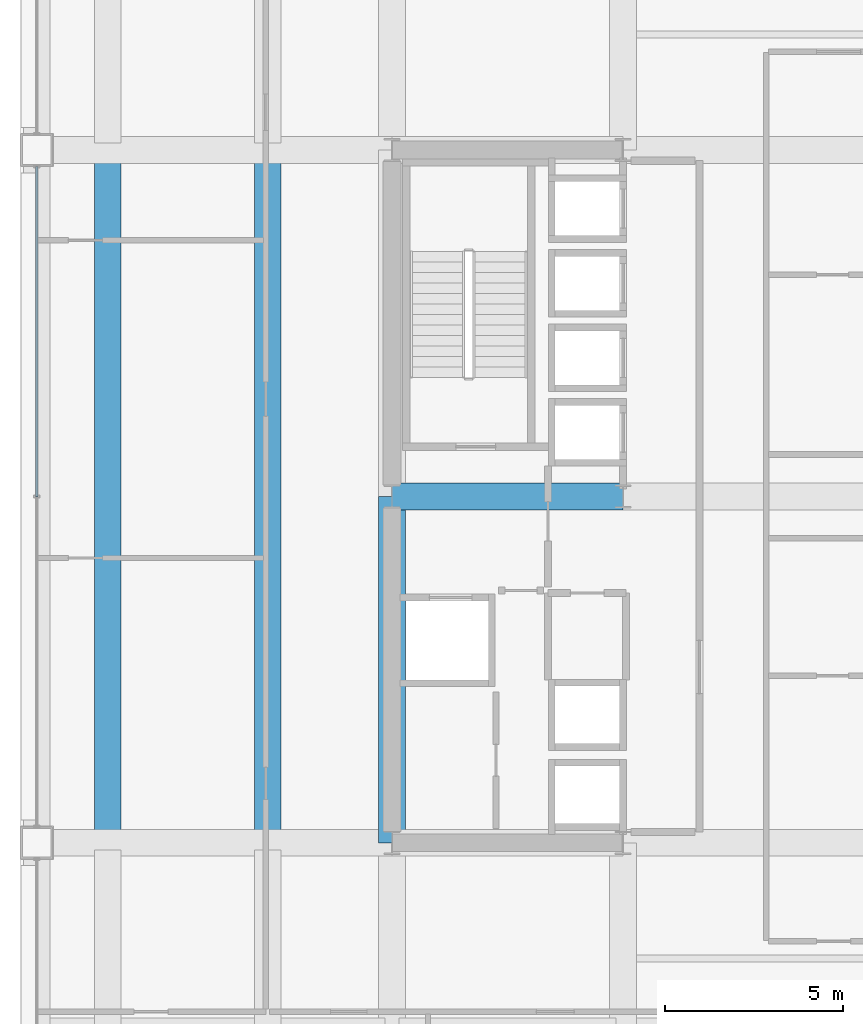
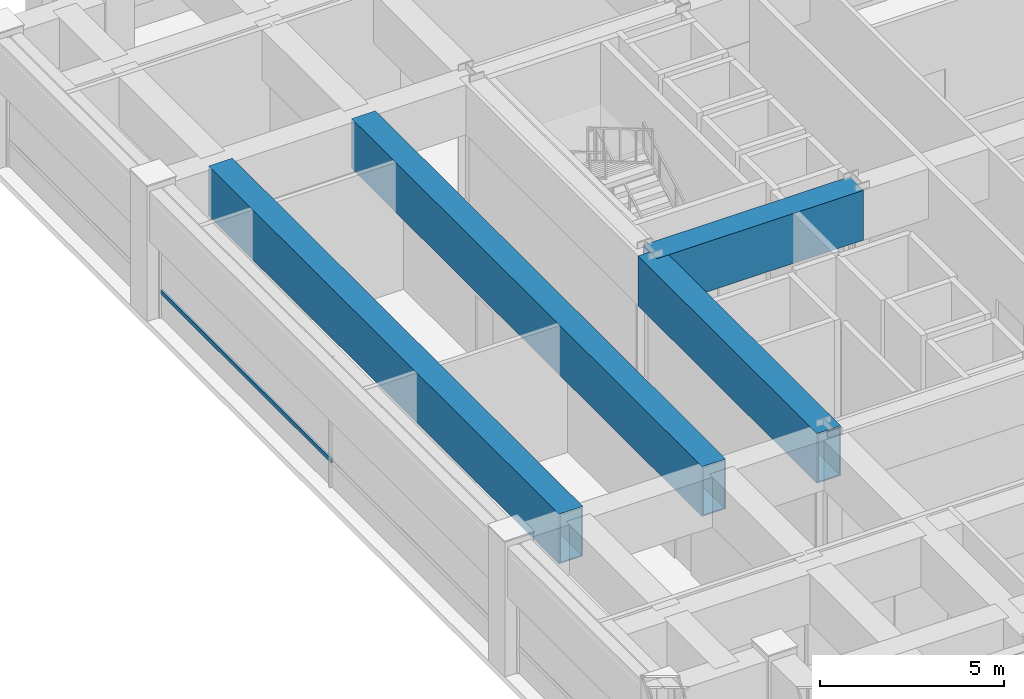
# One storey, part 8 of 29: 4 beams, 1 member, 1 element without a shape of its own.
"""IFC4 building model written with IfcOpenShell, lengths in metres."""

from ifc_helpers import new_model, si_unit, direction, frame, origin, origin_2d, place, context, subcontext, project, spatial, hollow_rectangle, extrude, material, layer, layer_set, material_profile, profile_set, type_object, element, aggregate, save


model = new_model("IFC4")

# Units and contexts
model_context = context("Model", 3, precision=1e-05, world=origin(), true_north=direction((0.0, 1.0)))
body_context = subcontext(model_context, "Body", "Model", "MODEL_VIEW")
ifc_project = project(units=[si_unit("LENGTHUNIT", "METRE"), si_unit("AREAUNIT", "SQUARE_METRE"), si_unit("VOLUMEUNIT", "CUBIC_METRE"), si_unit("PLANEANGLEUNIT", "RADIAN"), si_unit("MASSUNIT", "GRAM", prefix="KILO")], contexts=[model_context])

# Site, building, storey
site_placement = place(None, origin())
site = spatial("IfcSite", under=ifc_project, at=site_placement, CompositionType="ELEMENT")
building_placement = place(site_placement, origin())
building = spatial("IfcBuilding", under=site, at=building_placement, Name="Brelmoor Portico Tower", CompositionType="ELEMENT")
storey_placement = place(building_placement, frame((0.0, 0.0, 82.800048828125)))
storey = spatial("IfcBuildingStorey", under=building, at=storey_placement, Name="L21", CompositionType="ELEMENT", Elevation=82.800048828125)

# Beams
ifc_material_1 = material(Name="Steel Q355B", Category="steel")
ifc_material_profile_1 = material_profile(ifc_material_1, hollow_rectangle(XDim=0.75, YDim=1.659912109375, WallThickness=0.0419921875, at=origin_2d()), Name="BOX 750x1660x42")
ifc_profile_set_1 = profile_set([ifc_material_profile_1], Name="Steel Q355B")
beam_type = type_object("IfcBeamType", Name="BM-TG-Z2", PredefinedType="BEAM", material=ifc_profile_set_1)
beam_1_placement = place(storey_placement, frame((-14.550048828125, -9.75, 3.469970703125), z_axis=(0.0, 1.0, 0.0), x_axis=(-1.0, 0.0, 0.0)))
element("IfcBeam", 1, at=beam_1_placement, inside=storey, type_object=beam_type, Name="L21 Setback Transfer Girder PG-04", PredefinedType="BEAM", context=body_context, shape_type="SweptSolid", body=[
    extrude(hollow_rectangle(XDim=0.75, YDim=1.659912109375, WallThickness=0.0419921875, at=origin_2d()), origin(), (0.0, 0.0, 1.0), 9.75),
])
beam_2_placement = place(storey_placement, frame((-14.550048828125, 0.0, 3.469970703125), z_axis=(1.0, 0.0, 0.0), x_axis=(0.0, 1.0, 0.0)))
element("IfcBeam", 2, at=beam_2_placement, inside=storey, type_object=beam_type, Name="L21 Setback Transfer Girder PG-24", PredefinedType="BEAM", context=body_context, shape_type="SweptSolid", body=[
    extrude(hollow_rectangle(XDim=0.75, YDim=1.659912109375, WallThickness=0.0419921875, at=origin_2d()), origin(), (0.0, 0.0, 1.0), 6.5),
])
for number, where, z_axis, x_axis, name in (
    (3, (-18.050048828125, -9.550048828125, 3.469970703125), (0.0, 1.0, 0.0), (-1.0, 0.0, 0.0), "L21 Setback Transfer Girder TGN-23"),
    (4, (-22.550048828125, -9.550048828125, 3.469970703125), (0.0, 1.0, 0.0), (-1.0, 0.0, 0.0), "L21 Setback Transfer Girder TGN-33"),
):
    element("IfcBeam", number, at=place(storey_placement, frame(where, z_axis=z_axis, x_axis=x_axis)), inside=storey, type_object=beam_type, Name=name, PredefinedType="BEAM", context=body_context, shape_type="SweptSolid", body=[
        extrude(hollow_rectangle(XDim=0.75, YDim=1.659912109375, WallThickness=0.0419921875, at=origin_2d()), origin(), (0.0, 0.0, 1.0), 19.10009765625),
    ])

# Curtain wall, member
ifc_material_2 = material(Name="Anodised Aluminium Alloy 6063-T6", Category="aluminium")
ifc_layer = layer(ifc_material_2, 0.179931640625)
ifc_layer_set = layer_set([ifc_layer], Name="Anodised Aluminium Alloy 6063-T6")
curtain_wall_type = type_object("IfcCurtainWallType", Name="CW-TOWER-Z1", PredefinedType="NOTDEFINED", material=ifc_layer_set)
curtain_wall_placement = place(storey_placement, origin())
curtain_wall = element("IfcCurtainWall", 5, at=curtain_wall_placement, inside=storey, type_object=curtain_wall_type, Name="L21 Curtain Wall CW-L21-03-2", PredefinedType="NOTDEFINED")
ifc_material_profile_2 = material_profile(ifc_material_2, hollow_rectangle(XDim=0.06494140625, YDim=0.139892578125, WallThickness=0.00390625, at=origin_2d()), Name="ALU TRANSOM 65x140")
ifc_profile_set_2 = profile_set([ifc_material_profile_2], Name="Anodised Aluminium Alloy 6063-T6")
member_type = type_object("IfcMemberType", Name="MB-CW-TRAN-140", PredefinedType="USERDEFINED", material=ifc_profile_set_2)
member_placement = place(storey_placement, frame((-24.550048828125, 0.0, 0.849853515625), z_axis=(0.0, 1.0, 0.0), x_axis=(-1.0, 0.0, 0.0)))
member = element("IfcMember", 6, at=member_placement, type_object=member_type, Name="CW-L21-03-2 Transom 1-01", ObjectType="TRANSOM", PredefinedType="USERDEFINED", context=body_context, shape_type="SweptSolid", body=[
    extrude(hollow_rectangle(XDim=0.06494140625, YDim=0.139892578125, WallThickness=0.00390625, at=origin_2d()), origin(), (0.0, 0.0, 1.0), 9.2900390625),
])
aggregate(curtain_wall, [member])

save(model, "model.ifc")
